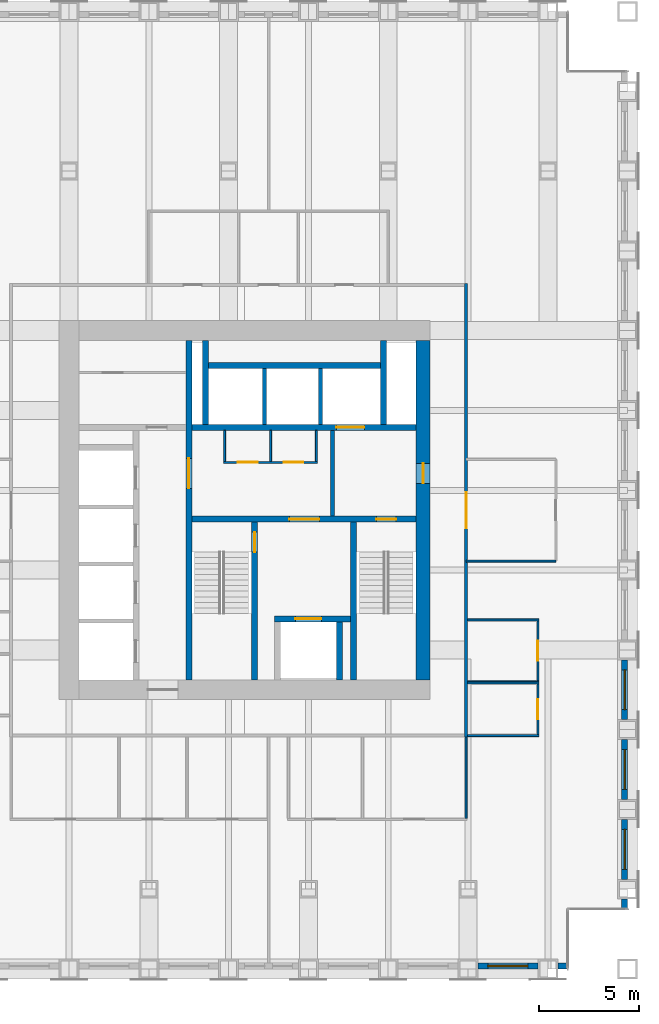
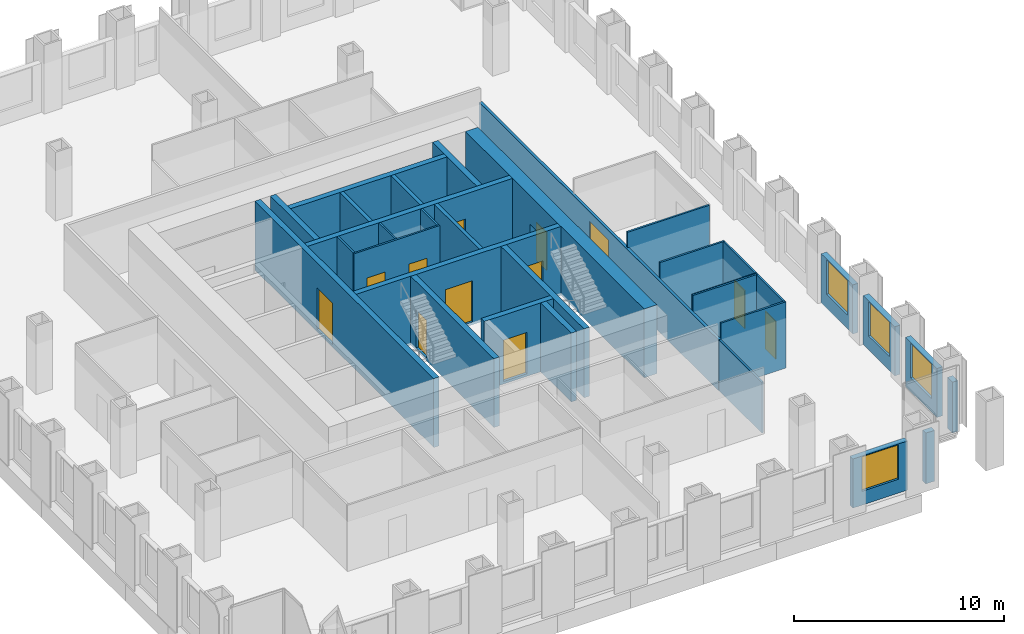
# One storey, part 9 of 12: 33 walls, 12 doors, 4 windows, 16 openings.
"""IFC4 building model written with IfcOpenShell, lengths in metres."""

from ifc_helpers import new_model, si_unit, direction, frame, frame_2d, origin, place, context, subcontext, project, spatial, rectangle, extrude, material, layer, layer_set, type_object, element, fill, save


model = new_model("IFC4")

# Units and contexts
model_context = context("Model", 3, precision=1e-05, world=origin(), true_north=direction((0.0, 1.0)))
body_context = subcontext(model_context, "Body", "Model", "MODEL_VIEW")
ifc_project = project(units=[si_unit("LENGTHUNIT", "METRE"), si_unit("AREAUNIT", "SQUARE_METRE"), si_unit("VOLUMEUNIT", "CUBIC_METRE"), si_unit("PLANEANGLEUNIT", "RADIAN"), si_unit("MASSUNIT", "GRAM", prefix="KILO")], contexts=[model_context])

# Site, building, storey
site_placement = place(None, origin())
site = spatial("IfcSite", under=ifc_project, at=site_placement, CompositionType="ELEMENT")
building_placement = place(site_placement, origin())
building = spatial("IfcBuilding", under=site, at=building_placement, Name="Rimbunsela Tower", CompositionType="ELEMENT")
storey_placement = place(building_placement, frame((0.0, 0.0, 147.800048828125)))
storey = spatial("IfcBuildingStorey", under=building, at=storey_placement, Name="L35", CompositionType="ELEMENT", Elevation=147.800048828125)

# Wall, opening, door
ifc_material_1 = material(Name="Concrete fc' 80 MPa", Category="concrete")
ifc_layer_1 = layer(ifc_material_1, 0.300048828125)
ifc_layer_set_1 = layer_set([ifc_layer_1], Name="Core internal wall 300")
wall_type_1 = type_object("IfcWallType", Name="Core internal wall 300", PredefinedType="SHEAR", material=ifc_layer_set_1)
wall_1_placement = place(storey_placement, frame((24.0, 18.5, -0.150146484375), z_axis=(0.0, 0.0, 1.0), x_axis=(0.0, 1.0, 0.0)))
wall_1 = element("IfcWall", 1, at=wall_1_placement, inside=storey, type_object=wall_type_1, Name="Core wall at stair A", PredefinedType="SHEAR", context=body_context, shape_type="SweptSolid", body=[
    extrude(rectangle(XDim=17.0, YDim=0.300048828125, at=frame_2d((8.5, 0.0))), origin(), (0.0, 0.0, 1.0), 4.0),
])
opening_1_placement = place(wall_1_placement, frame((9.60009765625, 0.0, 0.14990234375)))
opening_1 = element("IfcOpeningElement", 2, at=opening_1_placement, cuts=wall_1, Name="Opening D03", PredefinedType="OPENING", context=body_context, shape_type="SweptSolid", body=[
    extrude(rectangle(XDim=1.5, YDim=2.39990234375, at=frame_2d((0.75, 1.199951171875))), frame((0.0, 0.159912109375, 0.0), z_axis=(0.0, -1.0, 0.0), x_axis=(1.0, 0.0, 0.0)), (0.0, 0.0, 1.0), 0.320068359375),
])
ifc_material_2 = material(Name="Steel door, fire rated", Category="steel")
door_type_1 = type_object("IfcDoorType", Name="Core lobby door 1500", OperationType="DOUBLE_DOOR_DOUBLE_SWING", PredefinedType="DOOR", material=ifc_material_2)
door_1_placement = place(opening_1_placement, origin())
door_1 = element("IfcDoor", 3, at=door_1_placement, inside=storey, type_object=door_type_1, Name="West lobby door", OperationType="DOUBLE_DOOR_DOUBLE_SWING", OverallHeight=2.39990234375, OverallWidth=1.5, PredefinedType="DOOR", context=body_context, shape_type="SweptSolid", body=[
    extrude(rectangle(XDim=1.5, YDim=2.39990234375, at=frame_2d((0.75, 1.199951171875))), frame((0.0, 0.02490234375, 0.0), z_axis=(0.0, -1.0, 0.0), x_axis=(1.0, 0.0, 0.0)), (0.0, 0.0, 1.0), 0.050048828125),
])
fill(opening_1, door_1)

# Wall, openings, doors
wall_2_placement = place(storey_placement, frame((24.14990234375, 26.550048828125, -0.150146484375), z_axis=(0.0, 0.0, 1.0), x_axis=(1.0, 0.0, 0.0)))
wall_2 = element("IfcWall", 4, at=wall_2_placement, inside=storey, type_object=wall_type_1, Name="Core wall lobby south", PredefinedType="SHEAR", context=body_context, shape_type="SweptSolid", body=[
    extrude(rectangle(XDim=11.25, YDim=0.300048828125, at=frame_2d((5.625, 0.0))), origin(), (0.0, 0.0, 1.0), 4.0),
])
opening_2_placement = place(wall_2_placement, frame((9.25, 0.0, 0.14990234375)))
opening_2 = element("IfcOpeningElement", 5, at=opening_2_placement, cuts=wall_2, Name="Opening D01", PredefinedType="OPENING", context=body_context, shape_type="SweptSolid", body=[
    extrude(rectangle(XDim=1.0, YDim=2.199951171875, at=frame_2d((0.5, 1.10009765625))), frame((0.0, 0.159912109375, 0.0), z_axis=(0.0, -1.0, 0.0), x_axis=(1.0, 0.0, 0.0)), (0.0, 0.0, 1.0), 0.320068359375),
])
opening_3_placement = place(wall_2_placement, frame((4.89990234375, 0.0, 0.14990234375)))
opening_3 = element("IfcOpeningElement", 6, at=opening_3_placement, cuts=wall_2, Name="Opening D03", PredefinedType="OPENING", context=body_context, shape_type="SweptSolid", body=[
    extrude(rectangle(XDim=1.5, YDim=2.39990234375, at=frame_2d((0.75, 1.199951171875))), frame((0.0, 0.159912109375, 0.0), z_axis=(0.0, -1.0, 0.0), x_axis=(1.0, 0.0, 0.0)), (0.0, 0.0, 1.0), 0.320068359375),
])
door_2_placement = place(opening_3_placement, origin())
door_2 = element("IfcDoor", 7, at=door_2_placement, inside=storey, type_object=door_type_1, Name="Firefighting lobby door", OperationType="DOUBLE_DOOR_DOUBLE_SWING", OverallHeight=2.39990234375, OverallWidth=1.5, PredefinedType="DOOR", context=body_context, shape_type="SweptSolid", body=[
    extrude(rectangle(XDim=1.5, YDim=2.39990234375, at=frame_2d((0.75, 1.199951171875))), frame((0.0, 0.02490234375, 0.0), z_axis=(0.0, -1.0, 0.0), x_axis=(1.0, 0.0, 0.0)), (0.0, 0.0, 1.0), 0.050048828125),
])
fill(opening_3, door_2)
ifc_material_3 = material(Name="Steel door, fire rated", Category="steel")
door_type_2 = type_object("IfcDoorType", Name="Stair door 1000", OperationType="SINGLE_SWING_RIGHT", PredefinedType="DOOR", material=ifc_material_3)
door_3_placement = place(opening_2_placement, frame((1.0, 0.0, 0.0), z_axis=(0.0, 0.0, 1.0), x_axis=(-1.0, 0.0, 0.0)))
door_3 = element("IfcDoor", 8, at=door_3_placement, inside=storey, type_object=door_type_2, Name="Stair B door", OperationType="SINGLE_SWING_RIGHT", OverallHeight=2.199951171875, OverallWidth=1.0, PredefinedType="DOOR", context=body_context, shape_type="SweptSolid", body=[
    extrude(rectangle(XDim=1.0, YDim=2.199951171875, at=frame_2d((0.5, 1.10009765625))), frame((0.0, 0.02490234375, 0.0), z_axis=(0.0, -1.0, 0.0), x_axis=(1.0, 0.0, 0.0)), (0.0, 0.0, 1.0), 0.050048828125),
])
fill(opening_2, door_3)

# Wall, opening, door
wall_3_placement = place(storey_placement, frame((27.300048828125, 18.5, -0.150146484375), z_axis=(0.0, 0.0, 1.0), x_axis=(0.0, 1.0, 0.0)))
wall_3 = element("IfcWall", 9, at=wall_3_placement, inside=storey, type_object=wall_type_1, Name="Stair A enclosure", PredefinedType="SHEAR", context=body_context, shape_type="SweptSolid", body=[
    extrude(rectangle(XDim=7.89990234375, YDim=0.300048828125, at=frame_2d((3.949951171875, 0.0))), origin(), (0.0, 0.0, 1.0), 4.0),
])
opening_4_placement = place(wall_3_placement, frame((6.39990234375, 0.0, 0.14990234375)))
opening_4 = element("IfcOpeningElement", 10, at=opening_4_placement, cuts=wall_3, Name="Opening D01", PredefinedType="OPENING", context=body_context, shape_type="SweptSolid", body=[
    extrude(rectangle(XDim=1.0, YDim=2.199951171875, at=frame_2d((0.5, 1.10009765625))), frame((0.0, 0.159912109375, 0.0), z_axis=(0.0, -1.0, 0.0), x_axis=(1.0, 0.0, 0.0)), (0.0, 0.0, 1.0), 0.320068359375),
])
door_4_placement = place(opening_4_placement, origin())
door_4 = element("IfcDoor", 11, at=door_4_placement, inside=storey, type_object=door_type_2, Name="Stair A door", OperationType="SINGLE_SWING_RIGHT", OverallHeight=2.199951171875, OverallWidth=1.0, PredefinedType="DOOR", context=body_context, shape_type="SweptSolid", body=[
    extrude(rectangle(XDim=1.0, YDim=2.199951171875, at=frame_2d((0.5, 1.10009765625))), frame((0.0, 0.02490234375, 0.0), z_axis=(0.0, -1.0, 0.0), x_axis=(1.0, 0.0, 0.0)), (0.0, 0.0, 1.0), 0.050048828125),
])
fill(opening_4, door_4)

# Walls
wall_4_placement = place(storey_placement, frame((32.25, 18.5, -0.150146484375), z_axis=(0.0, 0.0, 1.0), x_axis=(0.0, 1.0, 0.0)))
element("IfcWall", 12, at=wall_4_placement, inside=storey, type_object=wall_type_1, Name="Stair B enclosure", PredefinedType="SHEAR", context=body_context, shape_type="SweptSolid", body=[
    extrude(rectangle(XDim=7.89990234375, YDim=0.300048828125, at=frame_2d((3.949951171875, 0.0))), origin(), (0.0, 0.0, 1.0), 4.0),
])
wall_5_placement = place(storey_placement, frame((31.550048828125, 18.5, -0.150146484375), z_axis=(0.0, 0.0, 1.0), x_axis=(0.0, 1.0, 0.0)))
element("IfcWall", 13, at=wall_5_placement, inside=storey, type_object=wall_type_1, Name="Firefighting lift shaft east", PredefinedType="SHEAR", context=body_context, shape_type="SweptSolid", body=[
    extrude(rectangle(XDim=2.89990234375, YDim=0.300048828125, at=frame_2d((1.449951171875, 0.0))), origin(), (0.0, 0.0, 1.0), 4.0),
])

# Wall, opening, door
wall_6_placement = place(storey_placement, frame((28.300048828125, 21.550048828125, -0.150146484375), z_axis=(0.0, 0.0, 1.0), x_axis=(1.0, 0.0, 0.0)))
wall_6 = element("IfcWall", 14, at=wall_6_placement, inside=storey, type_object=wall_type_1, Name="Firefighting lift shaft front", PredefinedType="SHEAR", context=body_context, shape_type="SweptSolid", body=[
    extrude(rectangle(XDim=3.800048828125, YDim=0.300048828125, at=frame_2d((1.89990234375, 0.0))), origin(), (0.0, 0.0, 1.0), 4.0),
])
opening_5_placement = place(wall_6_placement, frame((1.050048828125, 0.0, 0.14990234375)))
opening_5 = element("IfcOpeningElement", 15, at=opening_5_placement, cuts=wall_6, Name="Opening LD2", PredefinedType="OPENING", context=body_context, shape_type="SweptSolid", body=[
    extrude(rectangle(XDim=1.300048828125, YDim=2.39990234375, at=frame_2d((0.64990234375, 1.199951171875))), frame((0.0, 0.159912109375, 0.0), z_axis=(0.0, -1.0, 0.0), x_axis=(1.0, 0.0, 0.0)), (0.0, 0.0, 1.0), 0.320068359375),
])
ifc_material_4 = material(Name="Steel door, fire rated", Category="steel")
door_type_3 = type_object("IfcDoorType", Name="Lift landing door 1300", OperationType="DOUBLE_DOOR_SLIDING", PredefinedType="DOOR", material=ifc_material_4)
door_5_placement = place(opening_5_placement, origin())
door_5 = element("IfcDoor", 16, at=door_5_placement, inside=storey, type_object=door_type_3, Name="Lift landing door FL1", OperationType="DOUBLE_DOOR_SLIDING", OverallHeight=2.39990234375, OverallWidth=1.300048828125, PredefinedType="DOOR", context=body_context, shape_type="SweptSolid", body=[
    extrude(rectangle(XDim=1.300048828125, YDim=2.39990234375, at=frame_2d((0.64990234375, 1.199951171875))), frame((0.0, 0.02490234375, 0.0), z_axis=(0.0, -1.0, 0.0), x_axis=(1.0, 0.0, 0.0)), (0.0, 0.0, 1.0), 0.050048828125),
])
fill(opening_5, door_5)

wall_7_placement = place(storey_placement, frame((24.14990234375, 31.14990234375, -0.150146484375), z_axis=(0.0, 0.0, 1.0), x_axis=(1.0, 0.0, 0.0)))
wall_7 = element("IfcWall", 17, at=wall_7_placement, inside=storey, type_object=wall_type_1, Name="Lift shaft front north", PredefinedType="SHEAR", context=body_context, shape_type="SweptSolid", body=[
    extrude(rectangle(XDim=11.25, YDim=0.300048828125, at=frame_2d((5.625, 0.0))), origin(), (0.0, 0.0, 1.0), 4.0),
])
opening_6_placement = place(wall_7_placement, frame((7.25, 0.0, 0.14990234375)))
opening_6 = element("IfcOpeningElement", 18, at=opening_6_placement, cuts=wall_7, Name="Opening LD3", PredefinedType="OPENING", context=body_context, shape_type="SweptSolid", body=[
    extrude(rectangle(XDim=1.39990234375, YDim=2.39990234375, at=frame_2d((0.699951171875, 1.199951171875))), frame((0.0, 0.159912109375, 0.0), z_axis=(0.0, -1.0, 0.0), x_axis=(1.0, 0.0, 0.0)), (0.0, 0.0, 1.0), 0.320068359375),
])
ifc_material_5 = material(Name="Steel door, fire rated", Category="steel")
door_type_4 = type_object("IfcDoorType", Name="Lift landing door 1400", OperationType="DOUBLE_DOOR_SLIDING", PredefinedType="DOOR", material=ifc_material_5)
door_6_placement = place(opening_6_placement, origin())
door_6 = element("IfcDoor", 19, at=door_6_placement, inside=storey, type_object=door_type_4, Name="Lift landing door FL2", OperationType="DOUBLE_DOOR_SLIDING", OverallHeight=2.39990234375, OverallWidth=1.39990234375, PredefinedType="DOOR", context=body_context, shape_type="SweptSolid", body=[
    extrude(rectangle(XDim=1.39990234375, YDim=2.39990234375, at=frame_2d((0.699951171875, 1.199951171875))), frame((0.0, 0.02490234375, 0.0), z_axis=(0.0, -1.0, 0.0), x_axis=(1.0, 0.0, 0.0)), (0.0, 0.0, 1.0), 0.050048828125),
])
fill(opening_6, door_6)

# Walls
for number, where, z_axis, x_axis, name in (
    (20, (24.85009765625, 31.300048828125, -0.150146484375), (0.0, 0.0, 1.0), (0.0, 1.0, 0.0), "Riser wall"),
    (21, (33.75, 31.300048828125, -0.150146484375), (0.0, 0.0, 1.0), (0.0, 1.0, 0.0), "Riser wall"),
):
    element("IfcWall", number, at=place(storey_placement, frame(where, z_axis=z_axis, x_axis=x_axis)), inside=storey, type_object=wall_type_1, Name=name, PredefinedType="SHEAR", context=body_context, shape_type="SweptSolid", body=[
        extrude(rectangle(XDim=4.199951171875, YDim=0.300048828125, at=frame_2d((2.10009765625, 0.0))), origin(), (0.0, 0.0, 1.0), 4.0),
    ])
wall_8_placement = place(storey_placement, frame((25.0, 34.25, -0.150146484375), z_axis=(0.0, 0.0, 1.0), x_axis=(1.0, 0.0, 0.0)))
element("IfcWall", 22, at=wall_8_placement, inside=storey, type_object=wall_type_1, Name="Lift shaft rear north", PredefinedType="SHEAR", context=body_context, shape_type="SweptSolid", body=[
    extrude(rectangle(XDim=8.60009765625, YDim=0.300048828125, at=frame_2d((4.300048828125, 0.0))), origin(), (0.0, 0.0, 1.0), 4.0),
])

# Wall, openings, doors
ifc_material_6 = material(Name="Concrete blockwork", Category="masonry")
ifc_layer_2 = layer(ifc_material_6, 0.10009765625)
ifc_layer_set_2 = layer_set([ifc_layer_2], Name="Core room partition 100")
wall_type_2 = type_object("IfcWallType", Name="Core room partition 100", PredefinedType="PARTITIONING", material=ifc_layer_set_2)
wall_9_placement = place(storey_placement, frame((25.75, 29.39990234375, 0.0), z_axis=(0.0, 0.0, 1.0), x_axis=(1.0, 0.0, 0.0)))
wall_9 = element("IfcWall", 23, at=wall_9_placement, inside=storey, type_object=wall_type_2, Name="Lobby room wall", PredefinedType="PARTITIONING", context=body_context, shape_type="SweptSolid", body=[
    extrude(rectangle(XDim=4.699951171875, YDim=0.10009765625, at=frame_2d((2.35009765625, 0.0))), origin(), (0.0, 0.0, 1.0), 3.849853515625),
])
opening_7_placement = place(wall_9_placement, frame((0.699951171875, 0.0, 0.0)))
opening_7 = element("IfcOpeningElement", 24, at=opening_7_placement, cuts=wall_9, Name="Opening D19", PredefinedType="OPENING", context=body_context, shape_type="SweptSolid", body=[
    extrude(rectangle(XDim=1.0, YDim=2.199951171875, at=frame_2d((0.5, 1.10009765625))), frame((0.0, 0.06005859375, 0.0), z_axis=(0.0, -1.0, 0.0), x_axis=(1.0, 0.0, 0.0)), (0.0, 0.0, 1.0), 0.1201171875),
])
opening_8_placement = place(wall_9_placement, frame((3.0, 0.0, 0.0)))
opening_8 = element("IfcOpeningElement", 25, at=opening_8_placement, cuts=wall_9, Name="Opening D19", PredefinedType="OPENING", context=body_context, shape_type="SweptSolid", body=[
    extrude(rectangle(XDim=1.0, YDim=2.199951171875, at=frame_2d((0.5, 1.10009765625))), frame((0.0, 0.06005859375, 0.0), z_axis=(0.0, -1.0, 0.0), x_axis=(1.0, 0.0, 0.0)), (0.0, 0.0, 1.0), 0.1201171875),
])
ifc_material_7 = material(Name="Steel door, fire rated", Category="steel")
door_type_5 = type_object("IfcDoorType", Name="Service door 1000 fire rated", OperationType="SINGLE_SWING_LEFT", PredefinedType="DOOR", material=ifc_material_7)
door_7_placement = place(opening_7_placement, origin())
door_7 = element("IfcDoor", 26, at=door_7_placement, inside=storey, type_object=door_type_5, Name="Facilities store door", OperationType="SINGLE_SWING_LEFT", OverallHeight=2.199951171875, OverallWidth=1.0, PredefinedType="DOOR", context=body_context, shape_type="SweptSolid", body=[
    extrude(rectangle(XDim=1.0, YDim=2.199951171875, at=frame_2d((0.5, 1.10009765625))), frame((0.0, 0.02490234375, 0.0), z_axis=(0.0, -1.0, 0.0), x_axis=(1.0, 0.0, 0.0)), (0.0, 0.0, 1.0), 0.050048828125),
])
fill(opening_7, door_7)
door_8_placement = place(opening_8_placement, origin())
door_8 = element("IfcDoor", 27, at=door_8_placement, inside=storey, type_object=door_type_5, Name="IT room door", OperationType="SINGLE_SWING_LEFT", OverallHeight=2.199951171875, OverallWidth=1.0, PredefinedType="DOOR", context=body_context, shape_type="SweptSolid", body=[
    extrude(rectangle(XDim=1.0, YDim=2.199951171875, at=frame_2d((0.5, 1.10009765625))), frame((0.0, 0.02490234375, 0.0), z_axis=(0.0, -1.0, 0.0), x_axis=(1.0, 0.0, 0.0)), (0.0, 0.0, 1.0), 0.050048828125),
])
fill(opening_8, door_8)

# Walls
for number, where, z_axis, x_axis, name in (
    (28, (25.800048828125, 29.449951171875, 0.0), (0.0, 0.0, 1.0), (0.0, 1.0, 0.0), "Lobby room wall"),
    (29, (30.39990234375, 29.449951171875, 0.0), (0.0, 0.0, 1.0), (0.0, 1.0, 0.0), "Lobby room wall"),
    (30, (28.10009765625, 29.449951171875, 0.0), (0.0, 0.0, 1.0), (0.0, 1.0, 0.0), "Lobby room wall"),
):
    element("IfcWall", number, at=place(storey_placement, frame(where, z_axis=z_axis, x_axis=x_axis)), inside=storey, type_object=wall_type_2, Name=name, PredefinedType="PARTITIONING", context=body_context, shape_type="SweptSolid", body=[
        extrude(rectangle(XDim=1.550048828125, YDim=0.10009765625, at=frame_2d((0.77490234375, 0.0))), origin(), (0.0, 0.0, 1.0), 3.849853515625),
    ])

# Wall, opening, door
ifc_material_8 = material(Name="Concrete fc' 80 MPa", Category="concrete")
ifc_layer_3 = layer(ifc_material_8, 0.699951171875)
ifc_layer_set_3 = layer_set([ifc_layer_3], Name="Core wall 700 east")
wall_type_3 = type_object("IfcWallType", Name="Core wall 700 east", PredefinedType="SHEAR", material=ifc_layer_set_3)
wall_10_placement = place(storey_placement, frame((35.75, 18.5, -0.150146484375), z_axis=(0.0, 0.0, 1.0), x_axis=(0.0, 1.0, 0.0)))
wall_10 = element("IfcWall", 31, at=wall_10_placement, inside=storey, type_object=wall_type_3, Name="Core wall east", PredefinedType="SHEAR", context=body_context, shape_type="SweptSolid", body=[
    extrude(rectangle(XDim=17.0, YDim=0.699951171875, at=frame_2d((8.5, 0.0))), origin(), (0.0, 0.0, 1.0), 4.0),
])
opening_9_placement = place(wall_10_placement, frame((9.85009765625, 0.0, 0.14990234375)))
opening_9 = element("IfcOpeningElement", 32, at=opening_9_placement, cuts=wall_10, Name="Opening D01", PredefinedType="OPENING", context=body_context, shape_type="SweptSolid", body=[
    extrude(rectangle(XDim=1.0, YDim=2.199951171875, at=frame_2d((0.5, 1.10009765625))), frame((0.0, 0.35986328125, 0.0), z_axis=(0.0, -1.0, 0.0), x_axis=(1.0, 0.0, 0.0)), (0.0, 0.0, 1.0), 0.719970703125),
])
door_9_placement = place(opening_9_placement, origin())
door_9 = element("IfcDoor", 33, at=door_9_placement, inside=storey, type_object=door_type_2, Name="Firefighting lobby 2 door", OperationType="SINGLE_SWING_RIGHT", OverallHeight=2.199951171875, OverallWidth=1.0, PredefinedType="DOOR", context=body_context, shape_type="SweptSolid", body=[
    extrude(rectangle(XDim=1.0, YDim=2.199951171875, at=frame_2d((0.5, 1.10009765625))), frame((0.0, 0.02490234375, 0.0), z_axis=(0.0, -1.0, 0.0), x_axis=(1.0, 0.0, 0.0)), (0.0, 0.0, 1.0), 0.050048828125),
])
fill(opening_9, door_9)

# Walls
ifc_material_9 = material(Name="Concrete blockwork", Category="masonry")
ifc_layer_4 = layer(ifc_material_9, 0.199951171875)
ifc_layer_set_4 = layer_set([ifc_layer_4], Name="Lift shaft wall 200")
wall_type_4 = type_object("IfcWallType", Name="Lift shaft wall 200", PredefinedType="SOLIDWALL", material=ifc_layer_set_4)
for number, where, z_axis, x_axis, name in (
    (34, (27.800048828125, 31.300048828125, -0.150146484375), (0.0, 0.0, 1.0), (0.0, 1.0, 0.0), "Lift shaft separation"),
    (35, (30.60009765625, 31.300048828125, -0.150146484375), (0.0, 0.0, 1.0), (0.0, 1.0, 0.0), "Lift shaft separation"),
):
    element("IfcWall", number, at=place(storey_placement, frame(where, z_axis=z_axis, x_axis=x_axis)), inside=storey, type_object=wall_type_4, Name=name, PredefinedType="SOLIDWALL", context=body_context, shape_type="SweptSolid", body=[
        extrude(rectangle(XDim=2.800048828125, YDim=0.199951171875, at=frame_2d((1.39990234375, 0.0))), origin(), (0.0, 0.0, 1.0), 4.0),
    ])
wall_11_placement = place(storey_placement, frame((31.199951171875, 26.699951171875, 0.0), z_axis=(0.0, 0.0, 1.0), x_axis=(0.0, 1.0, 0.0)))
element("IfcWall", 36, at=wall_11_placement, inside=storey, type_object=wall_type_4, Name="Firefighting lobby 2 wall", PredefinedType="SOLIDWALL", context=body_context, shape_type="SweptSolid", body=[
    extrude(rectangle(XDim=4.300048828125, YDim=0.199951171875, at=frame_2d((2.14990234375, 0.0))), origin(), (0.0, 0.0, 1.0), 3.849853515625),
])
ifc_material_10 = material(Name="Gypsum board on steel studs", Category="steel")
ifc_layer_5 = layer(ifc_material_10, 0.10009765625)
ifc_layer_set_5 = layer_set([ifc_layer_5], Name="Office partition 100")
wall_type_5 = type_object("IfcWallType", Name="Office partition 100", PredefinedType="PARTITIONING", material=ifc_layer_set_5)
for number, where, z_axis, x_axis, name in (
    (37, (37.97509765625, 15.699951171875, 0.0), (0.0, 0.0, 1.0), (1.0, 0.0, 0.0), "Office partition"),
    (38, (37.97509765625, 18.35009765625, 0.0), (0.0, 0.0, 1.0), (1.0, 0.0, 0.0), "Office partition"),
    (39, (37.97509765625, 18.39990234375, 0.0), (0.0, 0.0, 1.0), (1.0, 0.0, 0.0), "Office partition"),
    (40, (37.97509765625, 21.5, 0.0), (0.0, 0.0, 1.0), (1.0, 0.0, 0.0), "Office partition"),
):
    element("IfcWall", number, at=place(storey_placement, frame(where, z_axis=z_axis, x_axis=x_axis)), inside=storey, type_object=wall_type_5, Name=name, PredefinedType="PARTITIONING", context=body_context, shape_type="SweptSolid", body=[
        extrude(rectangle(XDim=3.574951171875, YDim=0.10009765625, at=frame_2d((1.78759765625, 0.0))), origin(), (0.0, 0.0, 1.0), 3.849853515625),
    ])
wall_12_placement = place(storey_placement, frame((37.89990234375, 11.550048828125, 0.0), z_axis=(0.0, 0.0, 1.0), x_axis=(0.0, 1.0, 0.0)))
element("IfcWall", 41, at=wall_12_placement, inside=storey, type_object=wall_type_5, Name="Office partition", PredefinedType="PARTITIONING", context=body_context, shape_type="SweptSolid", body=[
    extrude(rectangle(XDim=4.074951171875, YDim=0.10009765625, at=frame_2d((2.03759765625, 0.0))), origin(), (0.0, 0.0, 1.0), 2.949951171875),
])

# Wall, opening, door
wall_13_placement = place(storey_placement, frame((41.5, 15.75, 0.0), z_axis=(0.0, 0.0, 1.0), x_axis=(0.0, 1.0, 0.0)))
wall_13 = element("IfcWall", 42, at=wall_13_placement, inside=storey, type_object=wall_type_5, Name="Office partition", PredefinedType="PARTITIONING", context=body_context, shape_type="SweptSolid", body=[
    extrude(rectangle(XDim=2.550048828125, YDim=0.10009765625, at=frame_2d((1.27490234375, 0.0))), origin(), (0.0, 0.0, 1.0), 3.849853515625),
])
opening_10_placement = place(wall_13_placement, frame((0.77490234375, 0.0, 0.0)))
opening_10 = element("IfcOpeningElement", 43, at=opening_10_placement, cuts=wall_13, Name="Opening D16", PredefinedType="OPENING", context=body_context, shape_type="SweptSolid", body=[
    extrude(rectangle(XDim=1.0, YDim=2.199951171875, at=frame_2d((0.5, 1.10009765625))), frame((0.0, 0.06005859375, 0.0), z_axis=(0.0, -1.0, 0.0), x_axis=(1.0, 0.0, 0.0)), (0.0, 0.0, 1.0), 0.1201171875),
])
ifc_material_11 = material(Name="Timber door", Category="wood")
door_type_6 = type_object("IfcDoorType", Name="Office door 1000", OperationType="SINGLE_SWING_LEFT", PredefinedType="DOOR", material=ifc_material_11)
door_10_placement = place(opening_10_placement, origin())
door_10 = element("IfcDoor", 44, at=door_10_placement, inside=storey, type_object=door_type_6, Name="Office door", OperationType="SINGLE_SWING_LEFT", OverallHeight=2.199951171875, OverallWidth=1.0, PredefinedType="DOOR", context=body_context, shape_type="SweptSolid", body=[
    extrude(rectangle(XDim=1.0, YDim=2.199951171875, at=frame_2d((0.5, 1.10009765625))), frame((0.0, 0.02490234375, 0.0), z_axis=(0.0, -1.0, 0.0), x_axis=(1.0, 0.0, 0.0)), (0.0, 0.0, 1.0), 0.050048828125),
])
fill(opening_10, door_10)

wall_14_placement = place(storey_placement, frame((41.5, 18.449951171875, 0.0), z_axis=(0.0, 0.0, 1.0), x_axis=(0.0, 1.0, 0.0)))
wall_14 = element("IfcWall", 45, at=wall_14_placement, inside=storey, type_object=wall_type_5, Name="Office partition", PredefinedType="PARTITIONING", context=body_context, shape_type="SweptSolid", body=[
    extrude(rectangle(XDim=3.0, YDim=0.10009765625, at=frame_2d((1.5, 0.0))), origin(), (0.0, 0.0, 1.0), 3.849853515625),
])
opening_11_placement = place(wall_14_placement, frame((1.0, 0.0, 0.0)))
opening_11 = element("IfcOpeningElement", 46, at=opening_11_placement, cuts=wall_14, Name="Opening D16", PredefinedType="OPENING", context=body_context, shape_type="SweptSolid", body=[
    extrude(rectangle(XDim=1.0, YDim=2.199951171875, at=frame_2d((0.5, 1.10009765625))), frame((0.0, 0.06005859375, 0.0), z_axis=(0.0, -1.0, 0.0), x_axis=(1.0, 0.0, 0.0)), (0.0, 0.0, 1.0), 0.1201171875),
])
door_11_placement = place(opening_11_placement, origin())
door_11 = element("IfcDoor", 47, at=door_11_placement, inside=storey, type_object=door_type_6, Name="Office door", OperationType="SINGLE_SWING_LEFT", OverallHeight=2.199951171875, OverallWidth=1.0, PredefinedType="DOOR", context=body_context, shape_type="SweptSolid", body=[
    extrude(rectangle(XDim=1.0, YDim=2.199951171875, at=frame_2d((0.5, 1.10009765625))), frame((0.0, 0.02490234375, 0.0), z_axis=(0.0, -1.0, 0.0), x_axis=(1.0, 0.0, 0.0)), (0.0, 0.0, 1.0), 0.050048828125),
])
fill(opening_11, door_11)

# Wall
wall_15_placement = place(storey_placement, frame((37.89990234375, 24.449951171875, 0.0), z_axis=(0.0, 0.0, 1.0), x_axis=(1.0, 0.0, 0.0)))
element("IfcWall", 48, at=wall_15_placement, inside=storey, type_object=wall_type_5, Name="Office partition", PredefinedType="PARTITIONING", context=body_context, shape_type="SweptSolid", body=[
    extrude(rectangle(XDim=4.5, YDim=0.10009765625, at=frame_2d((2.25, 0.0))), origin(), (0.0, 0.0, 1.0), 3.849853515625),
])

# Wall, opening, window
ifc_material_12 = material(Name="Precast concrete fc' 35 MPa", Category="concrete")
ifc_layer_6 = layer(ifc_material_12, 0.300048828125)
ifc_layer_set_6 = layer_set([ifc_layer_6], Name="Precast concrete fc' 35 MPa")
wall_type_6 = type_object("IfcWallType", Name="Precast facade panel 300", PredefinedType="ELEMENTEDWALL", material=ifc_layer_set_6)
wall_16_placement = place(storey_placement, frame((38.5, 4.14990234375, 0.0), z_axis=(0.0, 0.0, 1.0), x_axis=(1.0, 0.0, 0.0)))
wall_16 = element("IfcWall", 49, at=wall_16_placement, inside=storey, type_object=wall_type_6, Name="Facade panel S L35", PredefinedType="ELEMENTEDWALL", context=body_context, shape_type="SweptSolid", body=[
    extrude(rectangle(XDim=3.0, YDim=0.300048828125, at=frame_2d((1.5, 0.0))), origin(), (0.0, 0.0, 1.0), 2.849853515625),
])
opening_12_placement = place(wall_16_placement, frame((0.5, 0.0, 0.800048828125)))
opening_12 = element("IfcOpeningElement", 50, at=opening_12_placement, cuts=wall_16, Name="Opening W1", PredefinedType="OPENING", context=body_context, shape_type="SweptSolid", body=[
    extrude(rectangle(XDim=2.0, YDim=2.0, at=frame_2d((1.0, 1.0))), frame((0.0, 0.159912109375, 0.0), z_axis=(0.0, -1.0, 0.0), x_axis=(1.0, 0.0, 0.0)), (0.0, 0.0, 1.0), 0.320068359375),
])
ifc_material_13 = material(Name="Clear glass in aluminium frame", Category="aluminium")
window_type = type_object("IfcWindowType", Name="Window W1 2000x2000", PartitioningType="DOUBLE_PANEL_VERTICAL", PredefinedType="WINDOW", material=ifc_material_13)
window_1_placement = place(opening_12_placement, origin())
window_1 = element("IfcWindow", 51, at=window_1_placement, inside=storey, type_object=window_type, Name="Window L35", OverallHeight=2.0, OverallWidth=2.0, PartitioningType="SINGLE_PANEL", PredefinedType="WINDOW", context=body_context, shape_type="SweptSolid", body=[
    extrude(rectangle(XDim=2.0, YDim=2.0, at=frame_2d((1.0, 1.0))), frame((0.0, 0.030029296875, 0.0), z_axis=(0.0, -1.0, 0.0), x_axis=(1.0, 0.0, 0.0)), (0.0, 0.0, 1.0), 0.06005859375),
])
fill(opening_12, window_1)

# Walls
for number, where, z_axis, x_axis, name in (
    (52, (42.5, 4.14990234375, 0.0), (0.0, 0.0, 1.0), (1.0, 0.0, 0.0), "Facade panel S L35"),
    (53, (45.85009765625, 7.030029296875, 0.0), (0.0, 0.0, 1.0), (0.0, 1.0, 0.0), "Facade panel E L35"),
):
    element("IfcWall", number, at=place(storey_placement, frame(where, z_axis=z_axis, x_axis=x_axis)), inside=storey, type_object=wall_type_6, Name=name, PredefinedType="ELEMENTEDWALL", context=body_context, shape_type="SweptSolid", body=[
        extrude(rectangle(XDim=0.469970703125, YDim=0.300048828125, at=frame_2d((0.23486328125, 0.0))), origin(), (0.0, 0.0, 1.0), 2.949951171875),
    ])

# Wall, opening, window
wall_17_placement = place(storey_placement, frame((45.85009765625, 8.5, 0.0), z_axis=(0.0, 0.0, 1.0), x_axis=(0.0, 1.0, 0.0)))
wall_17 = element("IfcWall", 54, at=wall_17_placement, inside=storey, type_object=wall_type_6, Name="Facade panel E L35", PredefinedType="ELEMENTEDWALL", context=body_context, shape_type="SweptSolid", body=[
    extrude(rectangle(XDim=3.0, YDim=0.300048828125, at=frame_2d((1.5, 0.0))), origin(), (0.0, 0.0, 1.0), 2.849853515625),
])
opening_13_placement = place(wall_17_placement, frame((0.5, 0.0, 0.800048828125)))
opening_13 = element("IfcOpeningElement", 55, at=opening_13_placement, cuts=wall_17, Name="Opening W1", PredefinedType="OPENING", context=body_context, shape_type="SweptSolid", body=[
    extrude(rectangle(XDim=2.0, YDim=2.0, at=frame_2d((1.0, 1.0))), frame((0.0, 0.159912109375, 0.0), z_axis=(0.0, -1.0, 0.0), x_axis=(1.0, 0.0, 0.0)), (0.0, 0.0, 1.0), 0.320068359375),
])
window_2_placement = place(opening_13_placement, origin())
window_2 = element("IfcWindow", 56, at=window_2_placement, inside=storey, type_object=window_type, Name="Window L35", OverallHeight=2.0, OverallWidth=2.0, PartitioningType="SINGLE_PANEL", PredefinedType="WINDOW", context=body_context, shape_type="SweptSolid", body=[
    extrude(rectangle(XDim=2.0, YDim=2.0, at=frame_2d((1.0, 1.0))), frame((0.0, 0.030029296875, 0.0), z_axis=(0.0, -1.0, 0.0), x_axis=(1.0, 0.0, 0.0)), (0.0, 0.0, 1.0), 0.06005859375),
])
fill(opening_13, window_2)

wall_18_placement = place(storey_placement, frame((45.85009765625, 12.5, 0.0), z_axis=(0.0, 0.0, 1.0), x_axis=(0.0, 1.0, 0.0)))
wall_18 = element("IfcWall", 57, at=wall_18_placement, inside=storey, type_object=wall_type_6, Name="Facade panel E L35", PredefinedType="ELEMENTEDWALL", context=body_context, shape_type="SweptSolid", body=[
    extrude(rectangle(XDim=3.0, YDim=0.300048828125, at=frame_2d((1.5, 0.0))), origin(), (0.0, 0.0, 1.0), 2.849853515625),
])
opening_14_placement = place(wall_18_placement, frame((0.5, 0.0, 0.800048828125)))
opening_14 = element("IfcOpeningElement", 58, at=opening_14_placement, cuts=wall_18, Name="Opening W1", PredefinedType="OPENING", context=body_context, shape_type="SweptSolid", body=[
    extrude(rectangle(XDim=2.0, YDim=2.0, at=frame_2d((1.0, 1.0))), frame((0.0, 0.159912109375, 0.0), z_axis=(0.0, -1.0, 0.0), x_axis=(1.0, 0.0, 0.0)), (0.0, 0.0, 1.0), 0.320068359375),
])
window_3_placement = place(opening_14_placement, origin())
window_3 = element("IfcWindow", 59, at=window_3_placement, inside=storey, type_object=window_type, Name="Window L35", OverallHeight=2.0, OverallWidth=2.0, PartitioningType="SINGLE_PANEL", PredefinedType="WINDOW", context=body_context, shape_type="SweptSolid", body=[
    extrude(rectangle(XDim=2.0, YDim=2.0, at=frame_2d((1.0, 1.0))), frame((0.0, 0.030029296875, 0.0), z_axis=(0.0, -1.0, 0.0), x_axis=(1.0, 0.0, 0.0)), (0.0, 0.0, 1.0), 0.06005859375),
])
fill(opening_14, window_3)

wall_19_placement = place(storey_placement, frame((45.85009765625, 16.5, 0.0), z_axis=(0.0, 0.0, 1.0), x_axis=(0.0, 1.0, 0.0)))
wall_19 = element("IfcWall", 60, at=wall_19_placement, inside=storey, type_object=wall_type_6, Name="Facade panel E L35", PredefinedType="ELEMENTEDWALL", context=body_context, shape_type="SweptSolid", body=[
    extrude(rectangle(XDim=3.0, YDim=0.300048828125, at=frame_2d((1.5, 0.0))), origin(), (0.0, 0.0, 1.0), 2.849853515625),
])
opening_15_placement = place(wall_19_placement, frame((0.5, 0.0, 0.800048828125)))
opening_15 = element("IfcOpeningElement", 61, at=opening_15_placement, cuts=wall_19, Name="Opening W1", PredefinedType="OPENING", context=body_context, shape_type="SweptSolid", body=[
    extrude(rectangle(XDim=2.0, YDim=2.0, at=frame_2d((1.0, 1.0))), frame((0.0, 0.159912109375, 0.0), z_axis=(0.0, -1.0, 0.0), x_axis=(1.0, 0.0, 0.0)), (0.0, 0.0, 1.0), 0.320068359375),
])
window_4_placement = place(opening_15_placement, origin())
window_4 = element("IfcWindow", 62, at=window_4_placement, inside=storey, type_object=window_type, Name="Window L35", OverallHeight=2.0, OverallWidth=2.0, PartitioningType="SINGLE_PANEL", PredefinedType="WINDOW", context=body_context, shape_type="SweptSolid", body=[
    extrude(rectangle(XDim=2.0, YDim=2.0, at=frame_2d((1.0, 1.0))), frame((0.0, 0.030029296875, 0.0), z_axis=(0.0, -1.0, 0.0), x_axis=(1.0, 0.0, 0.0)), (0.0, 0.0, 1.0), 0.06005859375),
])
fill(opening_15, window_4)

# Wall, opening, door
ifc_material_14 = material(Name="Fire-rated gypsum board on steel studs, EI 60", Category="steel")
ifc_layer_7 = layer(ifc_material_14, 0.14990234375)
ifc_layer_set_7 = layer_set([ifc_layer_7], Name="Rated corridor wall 150")
wall_type_7 = type_object("IfcWallType", Name="Rated corridor wall 150", PredefinedType="PARTITIONING", material=ifc_layer_set_7)
wall_20_placement = place(storey_placement, frame((37.89990234375, 15.625, 0.0), z_axis=(0.0, 0.0, 1.0), x_axis=(0.0, 1.0, 0.0)))
wall_20 = element("IfcWall", 63, at=wall_20_placement, inside=storey, type_object=wall_type_7, Name="Corridor wall east", PredefinedType="PARTITIONING", context=body_context, shape_type="SweptSolid", body=[
    extrude(rectangle(XDim=22.75, YDim=0.14990234375, at=frame_2d((11.375, 0.0))), origin(), (0.0, 0.0, 1.0), 2.949951171875),
])
opening_16_placement = place(wall_20_placement, frame((10.47509765625, 0.0, 0.0)))
opening_16 = element("IfcOpeningElement", 64, at=opening_16_placement, cuts=wall_20, Name="Opening D09", PredefinedType="OPENING", context=body_context, shape_type="SweptSolid", body=[
    extrude(rectangle(XDim=1.800048828125, YDim=2.39990234375, at=frame_2d((0.89990234375, 1.199951171875))), frame((0.0, 0.0849609375, 0.0), z_axis=(0.0, -1.0, 0.0), x_axis=(1.0, 0.0, 0.0)), (0.0, 0.0, 1.0), 0.169921875),
])
ifc_material_15 = material(Name="Glazed aluminium door, fire rated", Category="aluminium")
door_type_7 = type_object("IfcDoorType", Name="Tenancy door 1800 glazed", OperationType="DOUBLE_DOOR_DOUBLE_SWING", PredefinedType="DOOR", material=ifc_material_15)
door_12_placement = place(opening_16_placement, origin())
door_12 = element("IfcDoor", 65, at=door_12_placement, inside=storey, type_object=door_type_7, Name="Tenancy door", OperationType="DOUBLE_DOOR_DOUBLE_SWING", OverallHeight=2.39990234375, OverallWidth=1.800048828125, PredefinedType="DOOR", context=body_context, shape_type="SweptSolid", body=[
    extrude(rectangle(XDim=1.800048828125, YDim=2.39990234375, at=frame_2d((0.89990234375, 1.199951171875))), frame((0.0, 0.02490234375, 0.0), z_axis=(0.0, -1.0, 0.0), x_axis=(1.0, 0.0, 0.0)), (0.0, 0.0, 1.0), 0.050048828125),
])
fill(opening_16, door_12)

save(model, "model.ifc")
